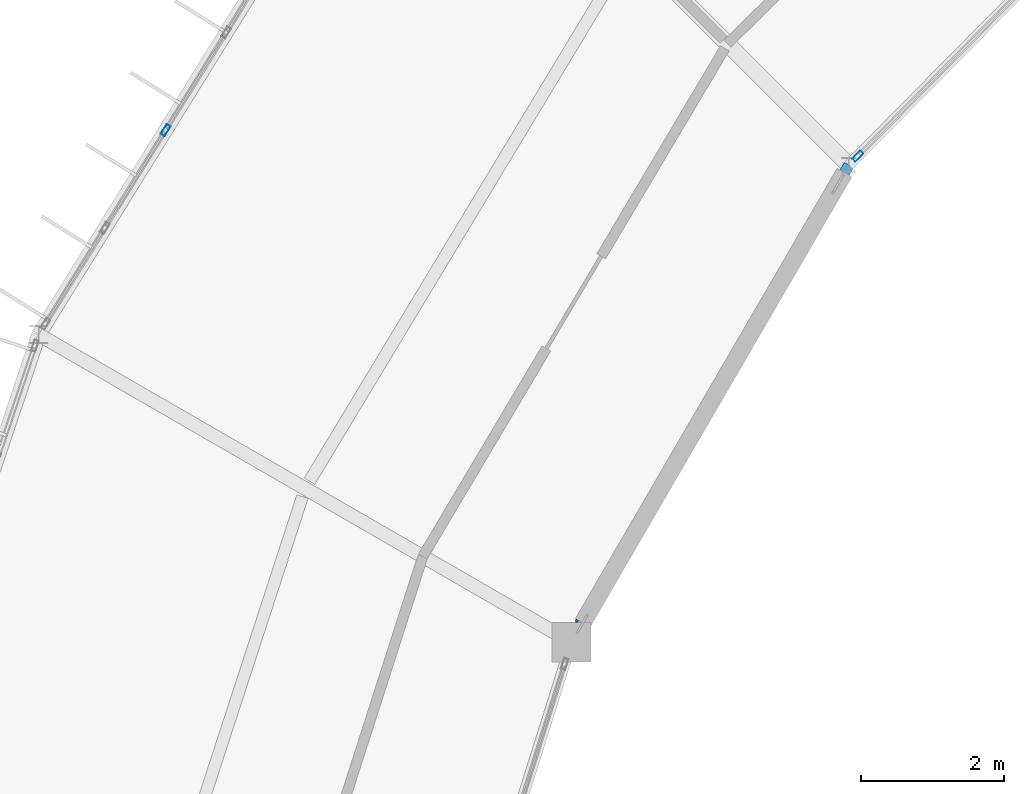
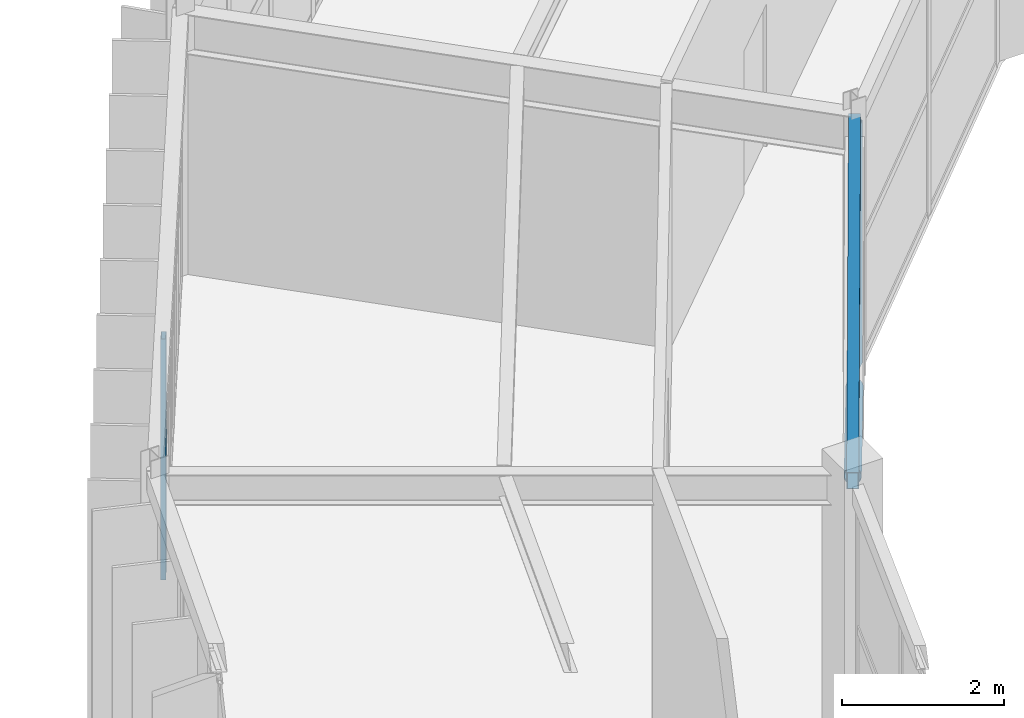
# One storey, part 67 of 134: 3 members, 1 beam, 2 elements without a shape of their own.
"""IFC4 building model written with IfcOpenShell, lengths in metres."""

from ifc_helpers import new_model, si_unit, direction, frame, origin, origin_2d, place, context, subcontext, project, spatial, hollow_rectangle, hollow_circle, extrude, material, material_profile, profile_set, type_object, element, aggregate, save


model = new_model("IFC4")

# Units and contexts
model_context = context("Model", 3, precision=1e-05, world=origin(), true_north=direction((0.0, 1.0)))
body_context = subcontext(model_context, "Body", "Model", "MODEL_VIEW")
ifc_project = project(units=[si_unit("LENGTHUNIT", "METRE"), si_unit("AREAUNIT", "SQUARE_METRE"), si_unit("VOLUMEUNIT", "CUBIC_METRE"), si_unit("PLANEANGLEUNIT", "RADIAN"), si_unit("MASSUNIT", "GRAM", prefix="KILO")], contexts=[model_context])

# Site, building, storey
site_placement = place(None, origin())
site = spatial("IfcSite", under=ifc_project, at=site_placement, CompositionType="ELEMENT")
building_placement = place(site_placement, origin())
building = spatial("IfcBuilding", under=site, at=building_placement, Name="Karori Crest Natural Sciences Institute", CompositionType="ELEMENT")
storey_placement = place(building_placement, frame((0.0, 0.0, 21.699951171875)))
storey = spatial("IfcBuildingStorey", under=building, at=storey_placement, Name="L05", CompositionType="ELEMENT", Elevation=21.699951171875)

# Beam
ifc_material_1 = material(Name="Hollow structural steel AS/NZS 1163 Grade C350", Category="steel")
ifc_material_profile_1 = material_profile(ifc_material_1, hollow_rectangle(XDim=0.14990234375, YDim=0.25, WallThickness=0.009033203125, at=origin_2d()), Name="RHS250x150x9")
ifc_profile_set_1 = profile_set([ifc_material_profile_1], Name="Hollow structural steel AS/NZS 1163 Grade C350")
beam_type = type_object("IfcBeamType", Name="BT-16", PredefinedType="SPANDREL", material=ifc_profile_set_1)
beam_placement = place(storey_placement, frame((49.146484375, 72.668701171875, 3.7900390625), z_axis=(-0.502648511326, -0.864490875638, 0.0), x_axis=(0.864490875638, -0.502648511326, 0.0)))
element("IfcBeam", 1, at=beam_placement, inside=storey, type_object=beam_type, Name="Beam B-0576", PredefinedType="SPANDREL", context=body_context, shape_type="SweptSolid", body=[
    extrude(hollow_rectangle(XDim=0.14990234375, YDim=0.25, WallThickness=0.009033203125, at=origin_2d()), origin(), (0.0, 0.0, 1.0), 7.714111328125),
])

# Curtain wall, member
ifc_material_2 = material(Name="Anodised architectural aluminium 6063-T6", Category="aluminium")
curtain_wall_type_1 = type_object("IfcCurtainWallType", Name="CWT-14", PredefinedType="NOTDEFINED", material=ifc_material_2)
curtain_wall_1_placement = place(storey_placement, origin())
curtain_wall_1 = element("IfcCurtainWall", 2, at=curtain_wall_1_placement, inside=storey, type_object=curtain_wall_type_1, Name="Curtain wall CW-0185", PredefinedType="NOTDEFINED")
ifc_material_profile_2 = material_profile(ifc_material_2, hollow_rectangle(XDim=0.06494140625, YDim=0.159912109375, WallThickness=0.00390625, at=origin_2d()), Name="CWM160x65x4")
ifc_profile_set_2 = profile_set([ifc_material_profile_2], Name="Anodised architectural aluminium 6063-T6")
member_type_1 = type_object("IfcMemberType", Name="CWM-01", PredefinedType="MULLION", material=ifc_profile_set_2)
member_1_placement = place(storey_placement, frame((49.2705078125, 72.79443359375, 0.0), z_axis=(0.0, 0.0, 1.0), x_axis=(0.711524963942, -0.702660818381, 0.0)))
member_1 = element("IfcMember", 3, at=member_1_placement, type_object=member_type_1, Name="CW-0185 mullion 3", PredefinedType="MULLION", context=body_context, shape_type="SweptSolid", body=[
    extrude(hollow_rectangle(XDim=0.06494140625, YDim=0.159912109375, WallThickness=0.00390625, at=origin_2d()), origin(), (0.0, 0.0, 1.0), 3.650146484375),
])
aggregate(curtain_wall_1, [member_1])

curtain_wall_type_2 = type_object("IfcCurtainWallType", Name="CWT-10", PredefinedType="NOTDEFINED", material=ifc_material_2)
curtain_wall_2_placement = place(storey_placement, origin())
curtain_wall_2 = element("IfcCurtainWall", 4, at=curtain_wall_2_placement, inside=storey, type_object=curtain_wall_type_2, Name="Curtain wall CW-0186", PredefinedType="NOTDEFINED")
member_2_placement = place(storey_placement, frame((39.5947265625, 73.157470703125, 0.0), z_axis=(0.0, 0.0, 1.0), x_axis=(-0.849664350398, 0.527323896352, 0.0)))
member_2 = element("IfcMember", 5, at=member_2_placement, type_object=member_type_1, Name="CW-0186 mullion 3", PredefinedType="MULLION", context=body_context, shape_type="SweptSolid", body=[
    extrude(hollow_rectangle(XDim=0.06494140625, YDim=0.159912109375, WallThickness=0.00390625, at=origin_2d()), origin(), (0.0, 0.0, 1.0), 3.625),
])
aggregate(curtain_wall_2, [member_2])

# Member
ifc_material_profile_3 = material_profile(ifc_material_1, hollow_circle(Radius=0.109619140625, WallThickness=0.00830078125, at=origin_2d()), Name="CHS219.1x8.2")
ifc_profile_set_3 = profile_set([ifc_material_profile_3], Name="Hollow structural steel AS/NZS 1163 Grade C350")
member_type_2 = type_object("IfcMemberType", Name="MT-02", PredefinedType="BRACE", material=ifc_profile_set_3)
member_3_placement = place(storey_placement, frame((48.995849609375, 72.409423828125, 0.010009765625), z_axis=(-0.44747311219, -0.769597540054, 0.455507892589), x_axis=(0.864491234315, -0.502647894447, 0.0)))
element("IfcMember", 6, at=member_3_placement, inside=storey, type_object=member_type_2, Name="Diagonal Brace M-0026", PredefinedType="BRACE", context=body_context, shape_type="SweptSolid", body=[
    extrude(hollow_circle(Radius=0.109619140625, WallThickness=0.00830078125, at=origin_2d()), origin(), (0.0, 0.0, 1.0), 7.991455078125),
])

save(model, "model.ifc")
